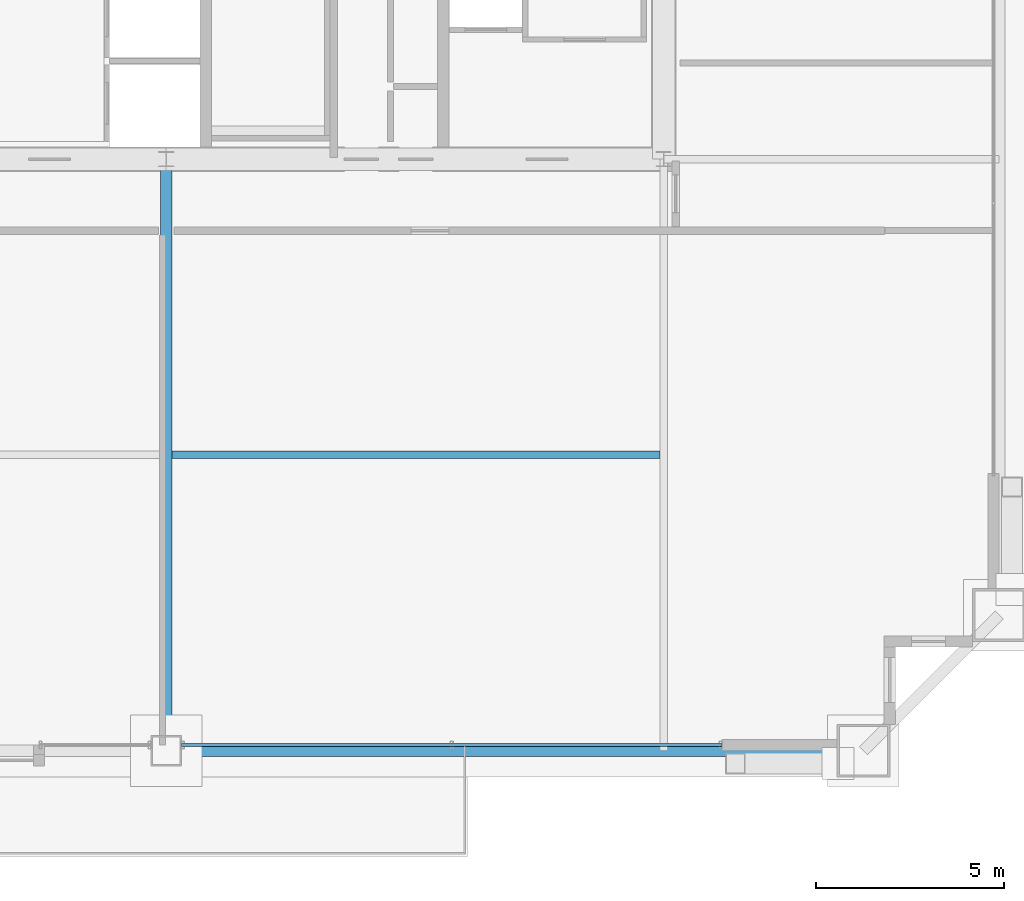
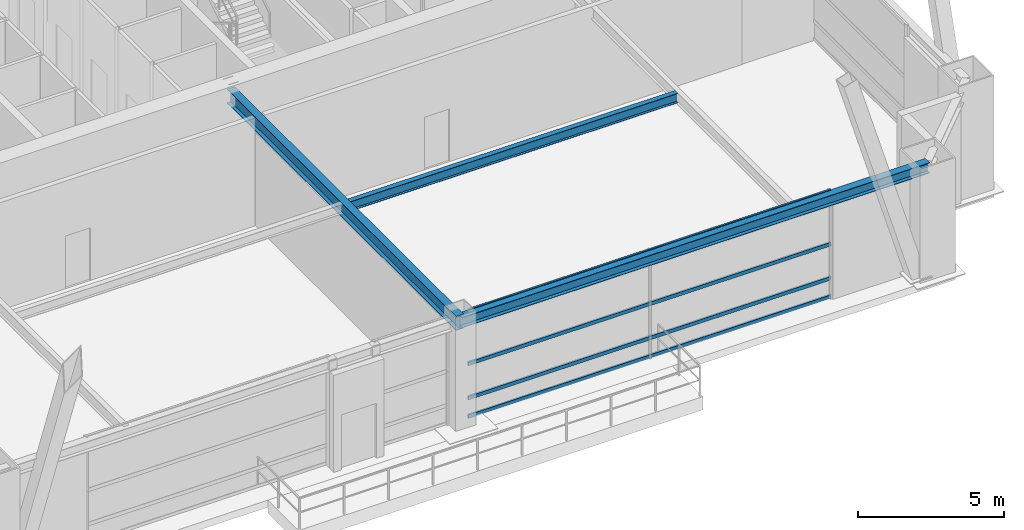
# One storey, part 9 of 34: 4 members, 3 beams, 1 element without a shape of its own.
"""IFC4 building model written with IfcOpenShell, lengths in metres."""

from ifc_helpers import new_model, si_unit, direction, frame, origin, origin_2d, place, context, subcontext, project, spatial, hollow_rectangle, i_section, extrude, source, transform, mapped, material, layer, layer_set, material_profile, profile_set, type_object, element, aggregate, save


model = new_model("IFC4")

# Units and contexts
model_context = context("Model", 3, precision=1e-05, world=origin(), true_north=direction((0.0, 1.0)))
body_context = subcontext(model_context, "Body", "Model", "MODEL_VIEW")
ifc_project = project(units=[si_unit("LENGTHUNIT", "METRE"), si_unit("AREAUNIT", "SQUARE_METRE"), si_unit("VOLUMEUNIT", "CUBIC_METRE"), si_unit("PLANEANGLEUNIT", "RADIAN"), si_unit("MASSUNIT", "GRAM", prefix="KILO"), si_unit("THERMODYNAMICTEMPERATUREUNIT", "KELVIN"), si_unit("POWERUNIT", "WATT")], contexts=[model_context])

# Site, building, storey
site_placement = place(None, origin())
site = spatial("IfcSite", under=ifc_project, at=site_placement, CompositionType="ELEMENT")
building_placement = place(site_placement, origin())
building = spatial("IfcBuilding", under=site, at=building_placement, Name="Yuzanri Waterfront Tower", CompositionType="ELEMENT")
storey_placement = place(building_placement, frame((0.0, 0.0, 166.800048828125)))
storey = spatial("IfcBuildingStorey", under=building, at=storey_placement, Name="L44", CompositionType="ELEMENT", Elevation=166.800048828125)

# Beams
ifc_material_1 = material(Name="Steel Q355B", Category="steel")
ifc_material_profile_1 = material_profile(ifc_material_1, i_section(OverallWidth=0.199951171875, OverallDepth=0.39990234375, WebThickness=0.008056640625, FlangeThickness=0.012939453125, at=origin_2d()), Name="HN 400x200x8x13")
ifc_profile_set_1 = profile_set([ifc_material_profile_1], Name="Steel Q355B")
beam_type_1 = type_object("IfcBeamType", Name="Floor Joist Q355B HN 400x200", PredefinedType="JOIST", material=ifc_profile_set_1)
shared_shape_1 = source(origin(), body_context, "Body", "SweptSolid", [
    extrude(i_section(OverallWidth=0.199951171875, OverallDepth=0.39990234375, WebThickness=0.008056640625, FlangeThickness=0.012939453125, at=origin_2d()), origin(), (0.0, 0.0, 1.0), 12.9501953125),
])
beam_1_placement = place(storey_placement, frame((37.14990234375, 11.550048828125, 4.300048828125), z_axis=(1.0, 0.0, 0.0), x_axis=(0.0, 1.0, 0.0)))
element("IfcBeam", 1, at=beam_1_placement, inside=storey, type_object=beam_type_1, Name="L44 South Bay Joist E", PredefinedType="JOIST", context=body_context, shape_type="MappedRepresentation", body=[
    mapped(shared_shape_1, transform((0.0, 0.0, 0.0), scale=1.0)),
])
ifc_material_2 = material(Name="Steel Q355B", Category="steel")
ifc_material_profile_2 = material_profile(ifc_material_2, i_section(OverallWidth=0.300048828125, OverallDepth=0.43994140625, WebThickness=0.010986328125, FlangeThickness=0.01806640625, at=origin_2d()), Name="HM 440x300x11x18")
ifc_profile_set_2 = profile_set([ifc_material_profile_2], Name="Steel Q355B")
beam_type_2 = type_object("IfcBeamType", Name="Perimeter Spandrel Q355B HM 440x300", PredefinedType="SPANDREL", material=ifc_profile_set_2)
shared_shape_2 = source(origin(), body_context, "Body", "SweptSolid", [
    extrude(i_section(OverallWidth=0.300048828125, OverallDepth=0.43994140625, WebThickness=0.010986328125, FlangeThickness=0.01806640625, at=origin_2d()), origin(), (0.0, 0.0, 1.0), 18.5),
])
beam_2_placement = place(storey_placement, frame((37.0, 3.699951171875, 4.280029296875), z_axis=(1.0, 0.0, 0.0), x_axis=(0.0, 1.0, 0.0)))
element("IfcBeam", 2, at=beam_2_placement, inside=storey, type_object=beam_type_2, Name="L44 Perimeter Spandrel S2-S3", PredefinedType="SPANDREL", context=body_context, shape_type="MappedRepresentation", body=[
    mapped(shared_shape_2, transform((0.0, 0.0, 0.0), scale=1.0)),
])
ifc_material_3 = material(Name="Steel Q355B", Category="steel")
ifc_material_profile_3 = material_profile(ifc_material_3, i_section(OverallWidth=0.300048828125, OverallDepth=0.587890625, WebThickness=0.011962890625, FlangeThickness=0.02001953125, at=origin_2d()), Name="HM 588x300x12x20")
ifc_profile_set_3 = profile_set([ifc_material_profile_3], Name="Steel Q355B")
beam_type_3 = type_object("IfcBeamType", Name="Primary Floor Girder Q355B HM 588x300", PredefinedType="BEAM", material=ifc_profile_set_3)
shared_shape_3 = source(origin(), body_context, "Body", "SweptSolid", [
    extrude(i_section(OverallWidth=0.300048828125, OverallDepth=0.587890625, WebThickness=0.011962890625, FlangeThickness=0.02001953125, at=origin_2d()), origin(), (0.0, 0.0, 1.0), 15.699951171875),
])
beam_3_placement = place(storey_placement, frame((37.0, 19.39990234375, 4.2060546875), z_axis=(0.0, -1.0, 0.0), x_axis=(1.0, 0.0, 0.0)))
element("IfcBeam", 3, at=beam_3_placement, inside=storey, type_object=beam_type_3, Name="L44 South Grid Girder", PredefinedType="BEAM", context=body_context, shape_type="MappedRepresentation", body=[
    mapped(shared_shape_3, transform((0.0, 0.0, 0.0), scale=1.0)),
])

# Curtain wall, members
ifc_material_4 = material(Name="Anodized Architectural Bronze", Category="metal")
ifc_layer = layer(ifc_material_4, 0.159912109375)
ifc_layer_set = layer_set([ifc_layer], Name="Anodized Architectural Bronze")
curtain_wall_type = type_object("IfcCurtainWallType", Name="Anodized Bronze Sky-Lobby Triple-Glazed Feature Curtain Wall 7500", PredefinedType="NOTDEFINED", material=ifc_layer_set)
curtain_wall_placement = place(storey_placement, origin())
curtain_wall = element("IfcCurtainWall", 4, at=curtain_wall_placement, inside=storey, type_object=curtain_wall_type, Name="L44 Curtain Wall CW-L44-SR", PredefinedType="NOTDEFINED")
ifc_material_5 = material(Name="Anodized Architectural Bronze", Category="metal")
ifc_material_profile_4 = material_profile(ifc_material_5, hollow_rectangle(XDim=0.074951171875, YDim=0.14990234375, WallThickness=0.00390625, at=origin_2d()), Name="CWT 75x150")
ifc_profile_set_4 = profile_set([ifc_material_profile_4], Name="Anodized Architectural Bronze")
member_type = type_object("IfcMemberType", Name="Anodized Bronze Primary Curtain-Wall Transom 75x150", PredefinedType="USERDEFINED", material=ifc_profile_set_4)
shared_shape_4 = source(origin(), body_context, "Body", "SweptSolid", [
    extrude(hollow_rectangle(XDim=0.074951171875, YDim=0.14990234375, WallThickness=0.00390625, at=origin_2d()), origin(), (0.0, 0.0, 1.0), 14.35009765625),
])
member_1_placement = place(storey_placement, frame((37.39990234375, 3.85009765625, 0.050048828125), z_axis=(1.0, 0.0, 0.0), x_axis=(0.0, 1.0, 0.0)))
member_1 = element("IfcMember", 5, at=member_1_placement, type_object=member_type, Name="CW-L44-SR Transom 1", ObjectType="TRANSOM", PredefinedType="USERDEFINED", context=body_context, shape_type="MappedRepresentation", body=[
    mapped(shared_shape_4, transform((0.0, 0.0, 0.0), scale=1.0)),
])
member_2_placement = place(storey_placement, frame((37.39990234375, 3.85009765625, 0.820068359375), z_axis=(1.0, 0.0, 0.0), x_axis=(0.0, 1.0, 0.0)))
member_2 = element("IfcMember", 6, at=member_2_placement, type_object=member_type, Name="CW-L44-SR Transom 2", ObjectType="TRANSOM", PredefinedType="USERDEFINED", context=body_context, shape_type="MappedRepresentation", body=[
    mapped(shared_shape_4, transform((0.0, 0.0, 0.0), scale=1.0)),
])
member_3_placement = place(storey_placement, frame((37.39990234375, 3.85009765625, 2.25), z_axis=(1.0, 0.0, 0.0), x_axis=(0.0, 1.0, 0.0)))
member_3 = element("IfcMember", 7, at=member_3_placement, type_object=member_type, Name="CW-L44-SR Transom 3", ObjectType="TRANSOM", PredefinedType="USERDEFINED", context=body_context, shape_type="MappedRepresentation", body=[
    mapped(shared_shape_4, transform((0.0, 0.0, 0.0), scale=1.0)),
])
member_4_placement = place(storey_placement, frame((37.39990234375, 3.85009765625, 4.449951171875), z_axis=(1.0, 0.0, 0.0), x_axis=(0.0, 1.0, 0.0)))
member_4 = element("IfcMember", 8, at=member_4_placement, type_object=member_type, Name="CW-L44-SR Transom 4", ObjectType="TRANSOM", PredefinedType="USERDEFINED", context=body_context, shape_type="MappedRepresentation", body=[
    mapped(shared_shape_4, transform((0.0, 0.0, 0.0), scale=1.0)),
])
aggregate(curtain_wall, [member_1, member_2, member_3, member_4])

save(model, "model.ifc")
